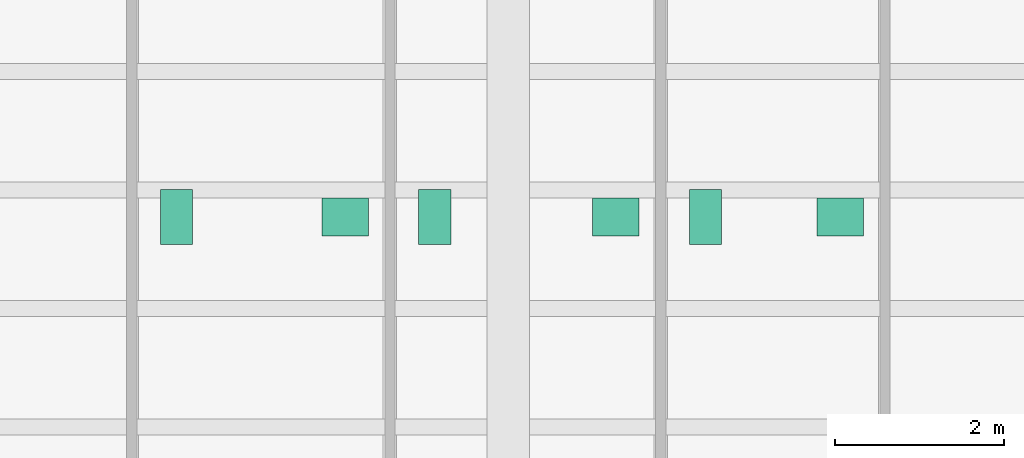
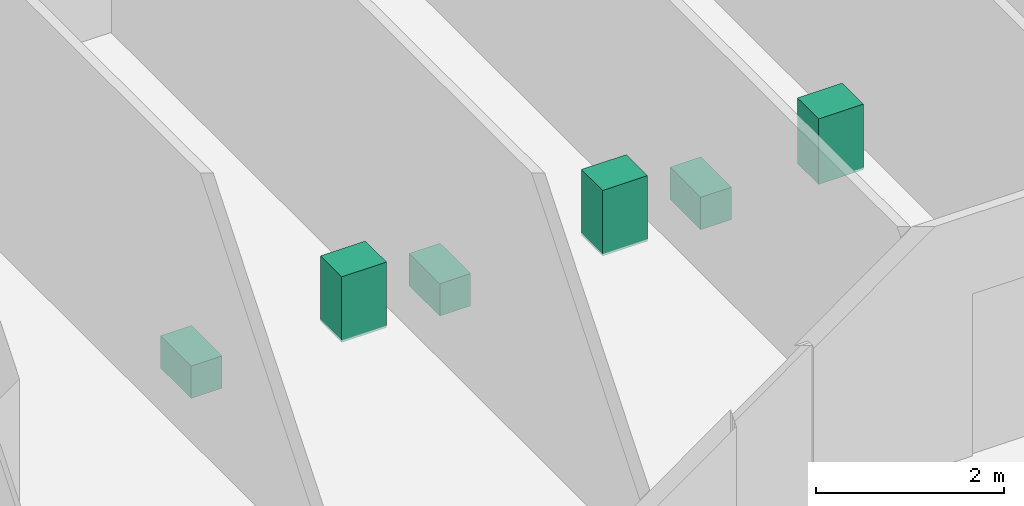
# One storey, part 10 of 10: 6 sanitary terminals.
"""IFC4 building model written with IfcOpenShell, lengths in metres."""

from ifc_helpers import new_model, si_unit, direction, frame, origin, origin_2d, place, context, subcontext, project, spatial, rectangle, extrude, material, type_object, element, save


model = new_model("IFC4")

# Units and contexts
model_context = context("Model", 3, precision=1e-05, world=origin(), true_north=direction((0.0, 1.0)))
body_context = subcontext(model_context, "Body", "Model", "MODEL_VIEW")
ifc_project = project(units=[si_unit("LENGTHUNIT", "METRE"), si_unit("AREAUNIT", "SQUARE_METRE"), si_unit("VOLUMEUNIT", "CUBIC_METRE"), si_unit("PLANEANGLEUNIT", "RADIAN"), si_unit("MASSUNIT", "GRAM", prefix="KILO")], contexts=[model_context])

# Site, building, storey
site_placement = place(None, origin())
site = spatial("IfcSite", under=ifc_project, at=site_placement, CompositionType="ELEMENT")
building_placement = place(site_placement, origin())
building = spatial("IfcBuilding", under=site, at=building_placement, Name="Kranthara Brick Stack", CompositionType="ELEMENT")
storey_placement = place(building_placement, frame((0.0, 0.0, 39.89990234375)))
storey = spatial("IfcBuildingStorey", under=building, at=storey_placement, Name="L09", CompositionType="ELEMENT", Elevation=39.89990234375)

# Sanitary terminals
ifc_material_1 = material(Name="Vitreous china sanitary porcelain", Category="other")
sanitary_terminal_type_1 = type_object("IfcSanitaryTerminalType", Name="SAN-BASIN", PredefinedType="WASHHANDBASIN", material=ifc_material_1)
for number, where, z_axis, x_axis, name in (
    (1, (26.070068359375, 29.985107421875, 0.0), (0.0, 0.0, 1.0), (1.0, 0.0, 0.0), "L09 Washbasin 25"),
    (2, (29.27001953125, 29.985107421875, 0.0), (0.0, 0.0, 1.0), (1.0, 0.0, 0.0), "L09 Washbasin 26"),
    (3, (31.919921875, 29.985107421875, 0.0), (0.0, 0.0, 1.0), (1.0, 0.0, 0.0), "L09 Washbasin 27"),
):
    element("IfcSanitaryTerminal", number, at=place(storey_placement, frame(where, z_axis=z_axis, x_axis=x_axis)), inside=storey, type_object=sanitary_terminal_type_1, Name=name, PredefinedType="WASHHANDBASIN", context=body_context, shape_type="SweptSolid", body=[
        extrude(rectangle(XDim=0.550048828125, YDim=0.449951171875, at=origin_2d()), origin(), (0.0, 0.0, 1.0), 0.85009765625),
    ])
ifc_material_2 = material(Name="Vitreous china sanitary porcelain", Category="other")
sanitary_terminal_type_2 = type_object("IfcSanitaryTerminalType", Name="SAN-WC-PAN", PredefinedType="TOILETPAN", material=ifc_material_2)
for number, where, z_axis, x_axis, name in (
    (4, (24.080078125, 29.985107421875, 0.000244140625), (0.0, 0.0, 1.0), (1.0, 0.0, 0.0), "L09 WC Pan 25"),
    (5, (27.1298828125, 29.985107421875, 0.000244140625), (0.0, 0.0, 1.0), (1.0, 0.0, 0.0), "L09 WC Pan 26"),
    (6, (30.330078125, 29.985107421875, 0.000244140625), (0.0, 0.0, 1.0), (1.0, 0.0, 0.0), "L09 WC Pan 27"),
):
    element("IfcSanitaryTerminal", number, at=place(storey_placement, frame(where, z_axis=z_axis, x_axis=x_axis)), inside=storey, type_object=sanitary_terminal_type_2, Name=name, PredefinedType="TOILETPAN", context=body_context, shape_type="SweptSolid", body=[
        extrude(rectangle(XDim=0.3798828125, YDim=0.64990234375, at=origin_2d()), origin(), (0.0, 0.0, 1.0), 0.419921875),
    ])

save(model, "model.ifc")
